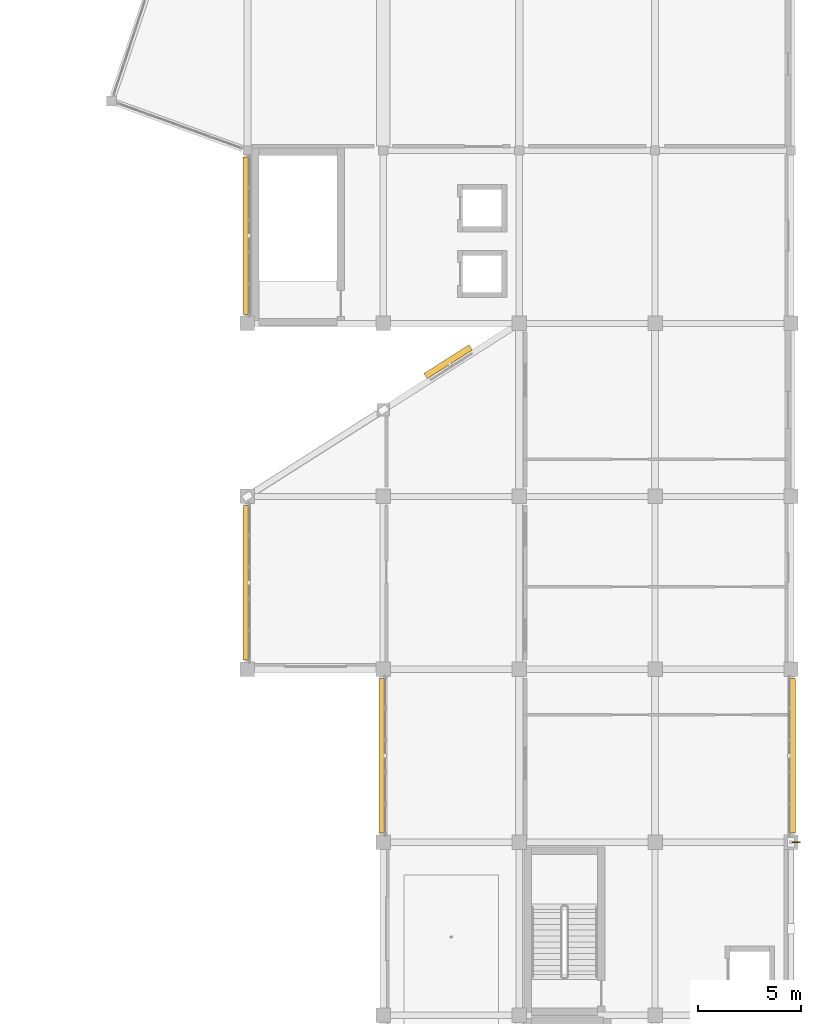
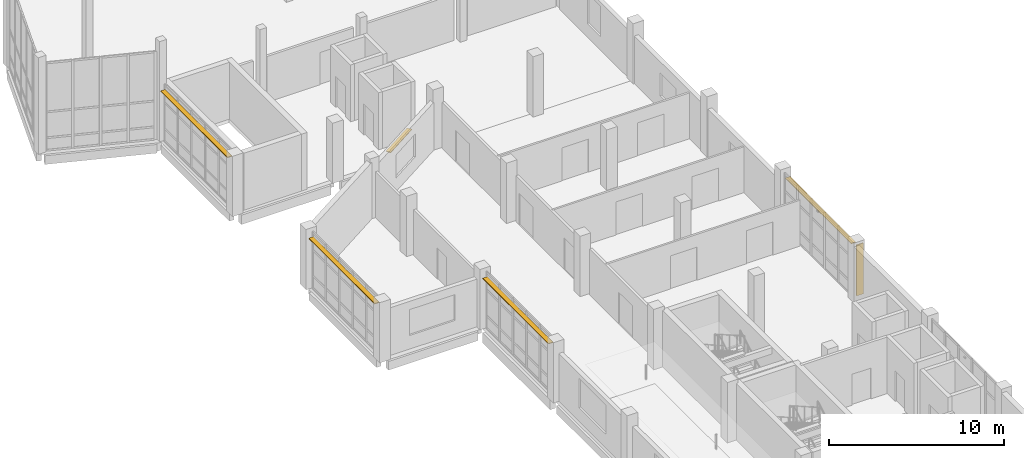
# One storey, part 76 of 78: 6 shading devices.
"""IFC4 building model written with IfcOpenShell, lengths in metres."""

from ifc_helpers import new_model, si_unit, direction, frame, origin, origin_2d, place, context, subcontext, project, spatial, rectangle, extrude, material, layer, layer_set, type_object, element, save


model = new_model("IFC4")

# Units and contexts
model_context = context("Model", 3, precision=1e-05, world=origin(), true_north=direction((0.0, 1.0)))
body_context = subcontext(model_context, "Body", "Model", "MODEL_VIEW")
ifc_project = project(units=[si_unit("LENGTHUNIT", "METRE"), si_unit("AREAUNIT", "SQUARE_METRE"), si_unit("VOLUMEUNIT", "CUBIC_METRE"), si_unit("PLANEANGLEUNIT", "RADIAN"), si_unit("MASSUNIT", "GRAM", prefix="KILO")], contexts=[model_context])

# Site, building, storey
site_placement = place(None, origin())
site = spatial("IfcSite", under=ifc_project, at=site_placement, CompositionType="ELEMENT")
building_placement = place(site_placement, origin())
building = spatial("IfcBuilding", under=site, at=building_placement, Name="Qaldarim Faculty of Natural and Applied Sciences", CompositionType="ELEMENT")
storey_placement = place(building_placement, frame((0.0, 0.0, 18.60009765625)))
storey = spatial("IfcBuildingStorey", under=building, at=storey_placement, Name="L04", CompositionType="ELEMENT", Elevation=18.60009765625)

# Shading devices
ifc_material = material(Name="Champagne anodised aluminium AW-6063", Category="aluminium")
ifc_layer_1 = layer(ifc_material, 0.050048828125)
ifc_layer_set_1 = layer_set([ifc_layer_1], Name="Champagne anodised aluminium AW-6063")
shading_device_type_1 = type_object("IfcShadingDeviceType", Name="SolarLouvre-ALU300x50", PredefinedType="JALOUSIE", material=ifc_layer_set_1)
shading_device_1_placement = place(storey_placement, frame((151.72998046875, 46.199951171875, 3.56494140625), z_axis=(0.0, 0.0, 1.0), x_axis=(0.0, 1.0, 0.0)))
element("IfcShadingDevice", 1, at=shading_device_1_placement, inside=storey, type_object=shading_device_type_1, Name="Horizontal solar louvre L04 W X24Y06", PredefinedType="JALOUSIE", context=body_context, shape_type="SweptSolid", body=[
    extrude(rectangle(XDim=7.510009765625, YDim=0.300048828125, at=origin_2d()), origin(), (0.0, 0.0, 1.0), 0.050048828125),
])
shading_device_2_placement = place(storey_placement, frame((151.72998046875, 63.06005859375, 3.56494140625), z_axis=(0.0, 0.0, 1.0), x_axis=(0.0, 1.0, 0.0)))
element("IfcShadingDevice", 2, at=shading_device_2_placement, inside=storey, type_object=shading_device_type_1, Name="Horizontal solar louvre L04 W X24Y08", PredefinedType="JALOUSIE", context=body_context, shape_type="SweptSolid", body=[
    extrude(rectangle(XDim=7.635009765625, YDim=0.300048828125, at=origin_2d()), origin(), (0.0, 0.0, 1.0), 0.050048828125),
])
for number, where, z_axis, x_axis, name in (
    (3, (158.330078125, 37.800048828125, 3.56494140625), (0.0, 0.0, 1.0), (0.0, 1.0, 0.0), "Horizontal solar louvre L04 W X25Y05"),
    (4, (178.27001953125, 37.800048828125, 3.56494140625), (0.0, 0.0, 1.0), (0.0, 1.0, 0.0), "Horizontal solar louvre L04 E X27Y05"),
):
    element("IfcShadingDevice", number, at=place(storey_placement, frame(where, z_axis=z_axis, x_axis=x_axis)), inside=storey, type_object=shading_device_type_1, Name=name, PredefinedType="JALOUSIE", context=body_context, shape_type="SweptSolid", body=[
        extrude(rectangle(XDim=7.510009765625, YDim=0.300048828125, at=origin_2d()), origin(), (0.0, 0.0, 1.0), 0.050048828125),
    ])
shading_device_3_placement = place(storey_placement, frame((161.544921875, 56.93994140625, 2.6748046875), z_axis=(0.0, 0.0, 1.0), x_axis=(0.843775713382, 0.536695952571, 0.0)))
element("IfcShadingDevice", 5, at=shading_device_3_placement, inside=storey, type_object=shading_device_type_1, Name="Oblique facade horizontal solar louvre SHD-OBL-NW-L04-2", PredefinedType="JALOUSIE", context=body_context, shape_type="SweptSolid", body=[
    extrude(rectangle(XDim=2.60009765625, YDim=0.300048828125, at=origin_2d()), origin(), (0.0, 0.0, 1.0), 0.050048828125),
])
ifc_layer_2 = layer(ifc_material, 0.06005859375)
ifc_layer_set_2 = layer_set([ifc_layer_2], Name="Champagne anodised aluminium AW-6063")
shading_device_type_2 = type_object("IfcShadingDeviceType", Name="VerticalSunFin-ALU450x60", PredefinedType="SHUTTER", material=ifc_layer_set_2)
shading_device_4_placement = place(storey_placement, frame((178.425048828125, 33.60009765625, 0.199951171875), z_axis=(0.0, 0.0, 1.0), x_axis=(1.0, 0.0, 0.0)))
element("IfcShadingDevice", 6, at=shading_device_4_placement, inside=storey, type_object=shading_device_type_2, Name="Tower solar fin FIN-V5E-L04-Y05", PredefinedType="SHUTTER", context=body_context, shape_type="SweptSolid", body=[
    extrude(rectangle(XDim=0.449951171875, YDim=0.06005859375, at=origin_2d()), origin(), (0.0, 0.0, 1.0), 3.5400390625),
])

save(model, "model.ifc")
